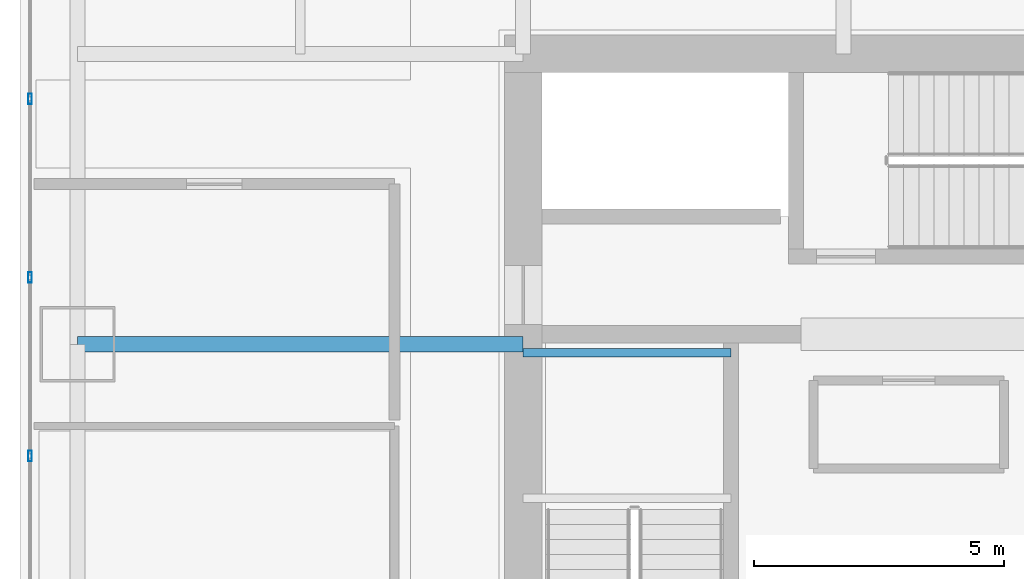
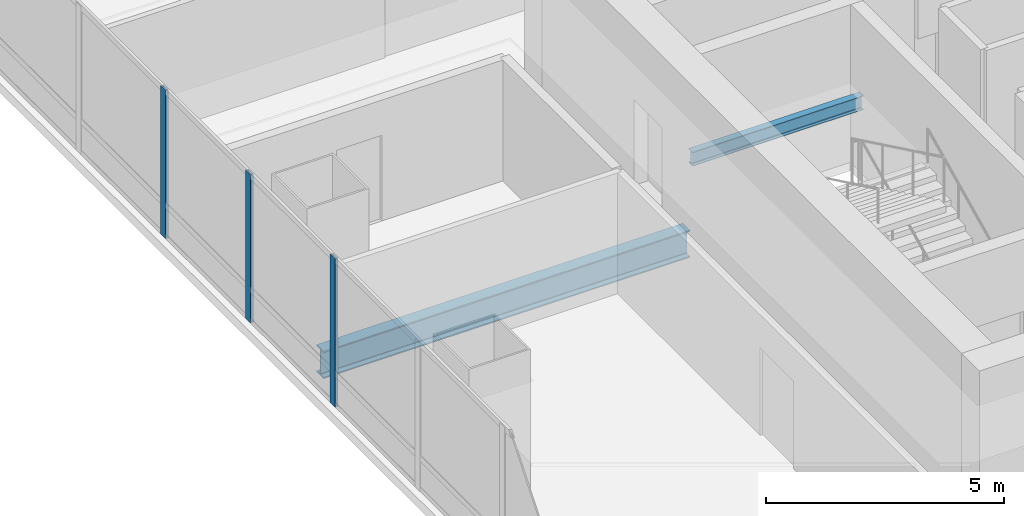
# One storey, part 10 of 34: 3 members, 2 beams, 1 element without a shape of its own.
"""IFC4 building model written with IfcOpenShell, lengths in metres."""

from ifc_helpers import new_model, si_unit, direction, frame, origin, origin_2d, place, context, subcontext, project, spatial, hollow_rectangle, i_section, extrude, material, material_profile, profile_set, type_object, element, aggregate, save


model = new_model("IFC4")

# Units and contexts
model_context = context("Model", 3, precision=1e-05, world=origin(), true_north=direction((0.0, 1.0)))
body_context = subcontext(model_context, "Body", "Model", "MODEL_VIEW")
ifc_project = project(units=[si_unit("LENGTHUNIT", "METRE"), si_unit("AREAUNIT", "SQUARE_METRE"), si_unit("VOLUMEUNIT", "CUBIC_METRE"), si_unit("PLANEANGLEUNIT", "RADIAN"), si_unit("MASSUNIT", "GRAM", prefix="KILO")], contexts=[model_context])

# Site, building, storey
site_placement = place(None, origin())
site = spatial("IfcSite", under=ifc_project, at=site_placement, CompositionType="ELEMENT")
building_placement = place(site_placement, origin())
building = spatial("IfcBuilding", under=site, at=building_placement, Name="Punatoya Terracotta Tower", CompositionType="ELEMENT")
storey_placement = place(building_placement, frame((0.0, 0.0, 84.89990234375)))
storey = spatial("IfcBuildingStorey", under=building, at=storey_placement, Name="L19", CompositionType="ELEMENT", Elevation=84.89990234375)

# Beams
ifc_material_1 = material(Name="Steel S355", Category="steel")
ifc_material_profile_1 = material_profile(ifc_material_1, i_section(OverallWidth=0.300048828125, OverallDepth=0.699951171875, WebThickness=0.01708984375, FlangeThickness=0.031982421875, FilletRadius=0.01806640625, at=origin_2d()))
ifc_profile_set_1 = profile_set([ifc_material_profile_1], Name="Steel S355")
beam_type_1 = type_object("IfcBeamType", Name="BM-PRI-700", PredefinedType="BEAM", material=ifc_profile_set_1)
beam_1_placement = place(storey_placement, frame((-19.10009765625, 3.39990234375, -0.58984375), z_axis=(1.0, 0.0, 0.0), x_axis=(0.0, 1.0, 0.0)))
element("IfcBeam", 1, at=beam_1_placement, inside=storey, type_object=beam_type_1, Name="BM-L19-PR-WE", PredefinedType="BEAM", context=body_context, shape_type="SweptSolid", body=[
    extrude(i_section(OverallWidth=0.300048828125, OverallDepth=0.699951171875, WebThickness=0.01708984375, FlangeThickness=0.031982421875, FilletRadius=0.01806640625, at=origin_2d()), origin(), (0.0, 0.0, 1.0), 8.900146484375),
])
ifc_material_profile_2 = material_profile(ifc_material_1, i_section(OverallWidth=0.169921875, OverallDepth=0.360107421875, WebThickness=0.008056640625, FlangeThickness=0.0126953125, FilletRadius=0.01806640625, at=origin_2d()))
ifc_profile_set_2 = profile_set([ifc_material_profile_2], Name="Steel S355")
beam_type_2 = type_object("IfcBeamType", Name="BM-SEC-360", PredefinedType="JOIST", material=ifc_profile_set_2)
beam_2_placement = place(storey_placement, frame((-10.199951171875, 3.22998046875, 1.64501953125), z_axis=(1.0, 0.0, 0.0), x_axis=(0.0, 1.0, 0.0)))
element("IfcBeam", 2, at=beam_2_placement, inside=storey, type_object=beam_type_2, Name="BM-L19-ST-1-LD1B", PredefinedType="JOIST", context=body_context, shape_type="SweptSolid", body=[
    extrude(i_section(OverallWidth=0.169921875, OverallDepth=0.360107421875, WebThickness=0.008056640625, FlangeThickness=0.0126953125, FilletRadius=0.01806640625, at=origin_2d()), origin(), (0.0, 0.0, 1.0), 4.14990234375),
])

# Curtain wall, members
ifc_material_2 = material(Name="Aluminium 6063-T6 + Double Low-E Glass", Category="aluminium")
curtain_wall_type = type_object("IfcCurtainWallType", Name="CW-M1", PredefinedType="NOTDEFINED", material=ifc_material_2)
curtain_wall_placement = place(storey_placement, origin())
curtain_wall = element("IfcCurtainWall", 3, at=curtain_wall_placement, inside=storey, type_object=curtain_wall_type, Name="L19 Curtain Wall CW-L19-W13-1", PredefinedType="NOTDEFINED")
ifc_material_3 = material(Name="Aluminium 6063-T6", Category="aluminium")
ifc_material_profile_3 = material_profile(ifc_material_3, hollow_rectangle(XDim=0.074951171875, YDim=0.2099609375, WallThickness=0.00439453125, at=origin_2d()))
ifc_profile_set_3 = profile_set([ifc_material_profile_3], Name="Aluminium 6063-T6")
member_type = type_object("IfcMemberType", Name="CW-MUL-M1", PredefinedType="MULLION", material=ifc_profile_set_3)
member_1_placement = place(storey_placement, frame((-20.050048828125, 8.302001953125, 0.0), z_axis=(0.0, 0.0, 1.0), x_axis=(1.0, 0.0, 0.0)))
member_1 = element("IfcMember", 4, at=member_1_placement, type_object=member_type, Name="CW-L19-W13-1 Mullion 02", PredefinedType="MULLION", context=body_context, shape_type="SweptSolid", body=[
    extrude(hollow_rectangle(XDim=0.074951171875, YDim=0.2099609375, WallThickness=0.00439453125, at=origin_2d()), origin(), (0.0, 0.0, 1.0), 3.81005859375),
])
member_2_placement = place(storey_placement, frame((-20.050048828125, 4.73486328125, 0.0), z_axis=(0.0, 0.0, 1.0), x_axis=(1.0, 0.0, 0.0)))
member_2 = element("IfcMember", 5, at=member_2_placement, type_object=member_type, Name="CW-L19-W13-1 Mullion 03", PredefinedType="MULLION", context=body_context, shape_type="SweptSolid", body=[
    extrude(hollow_rectangle(XDim=0.074951171875, YDim=0.2099609375, WallThickness=0.00439453125, at=origin_2d()), origin(), (0.0, 0.0, 1.0), 3.81005859375),
])
member_3_placement = place(storey_placement, frame((-20.050048828125, 1.16748046875, 0.0), z_axis=(0.0, 0.0, 1.0), x_axis=(1.0, 0.0, 0.0)))
member_3 = element("IfcMember", 6, at=member_3_placement, type_object=member_type, Name="CW-L19-W13-1 Mullion 04", PredefinedType="MULLION", context=body_context, shape_type="SweptSolid", body=[
    extrude(hollow_rectangle(XDim=0.074951171875, YDim=0.2099609375, WallThickness=0.00439453125, at=origin_2d()), origin(), (0.0, 0.0, 1.0), 3.81005859375),
])
aggregate(curtain_wall, [member_1, member_2, member_3])

save(model, "model.ifc")
